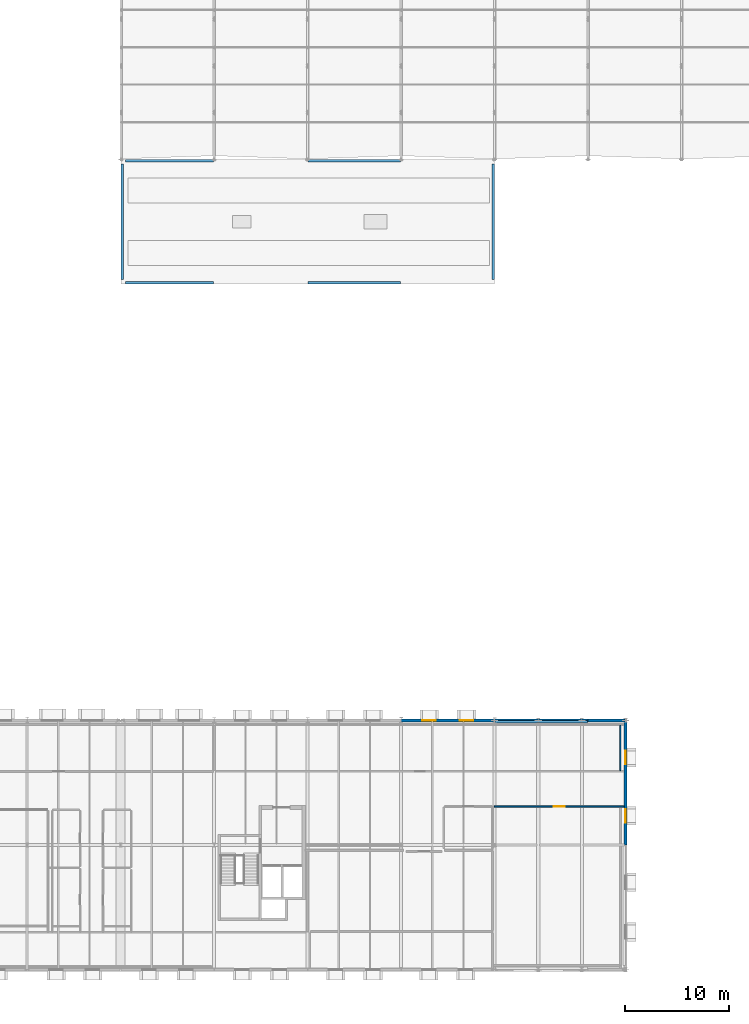
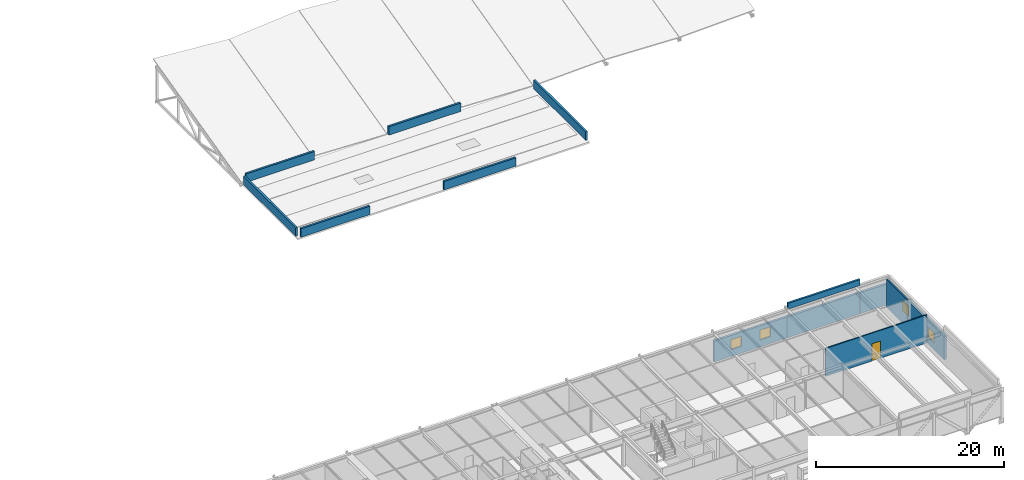
# One storey, part 33 of 36: 13 walls, 4 windows, 1 door, 5 openings.
"""IFC4 building model written with IfcOpenShell, lengths in metres."""

from ifc_helpers import new_model, si_unit, direction, frame, frame_2d, origin, place, context, subcontext, project, spatial, rectangle, extrude, material, layer, layer_set, type_object, element, fill, save


model = new_model("IFC4")

# Units and contexts
model_context = context("Model", 3, precision=1e-05, world=origin(), true_north=direction((0.0, 1.0)))
body_context = subcontext(model_context, "Body", "Model", "MODEL_VIEW")
ifc_project = project(units=[si_unit("LENGTHUNIT", "METRE"), si_unit("AREAUNIT", "SQUARE_METRE"), si_unit("VOLUMEUNIT", "CUBIC_METRE"), si_unit("PLANEANGLEUNIT", "RADIAN"), si_unit("MASSUNIT", "GRAM", prefix="KILO")], contexts=[model_context])

# Site, building, storey
site_placement = place(None, origin())
site = spatial("IfcSite", under=ifc_project, at=site_placement, CompositionType="ELEMENT")
building_placement = place(site_placement, origin())
building = spatial("IfcBuilding", under=site, at=building_placement, Name="Montelvaro Courts of Justice", CompositionType="ELEMENT")
storey_placement = place(building_placement, frame((0.0, 0.0, 23.39990234375)))
storey = spatial("IfcBuildingStorey", under=building, at=storey_placement, Name="L05", CompositionType="ELEMENT", Elevation=23.39990234375)

# Wall, opening, door
ifc_material_1 = material(Name="Gypsum board on metal stud")
ifc_layer_1 = layer(ifc_material_1, 0.14990234375)
ifc_layer_set_1 = layer_set([ifc_layer_1], Name="Gypsum board on metal stud")
wall_type_1 = type_object("IfcWallType", Name="ChambersPartition_150", PredefinedType="PARTITIONING", material=ifc_layer_set_1)
wall_1_placement = place(storey_placement, frame((134.97998046875, 15.699951171875, 0.0), z_axis=(0.0, 0.0, 1.0), x_axis=(1.0, 0.0, 0.0)))
wall_1 = element("IfcWall", 1, at=wall_1_placement, inside=storey, type_object=wall_type_1, Name="Interior Partition IW-04 (L05)", PredefinedType="PARTITIONING", context=body_context, shape_type="SweptSolid", body=[
    extrude(rectangle(XDim=12.485107421875, YDim=0.14990234375, at=frame_2d((6.24267578125, 0.0))), origin(), (0.0, 0.0, 1.0), 3.64013671875),
])
opening_1_placement = place(wall_1_placement, frame((5.718017578125, 0.0, 0.0)))
opening_1 = element("IfcOpeningElement", 2, at=opening_1_placement, cuts=wall_1, Name="Opening D-L05-157", PredefinedType="OPENING", context=body_context, shape_type="SweptSolid", body=[
    extrude(rectangle(XDim=1.050048828125, YDim=2.25, at=frame_2d((0.52490234375, 1.125))), frame((0.0, 0.08984375, 0.0), z_axis=(0.0, -1.0, 0.0), x_axis=(1.0, 0.0, 0.0)), (0.0, 0.0, 1.0), 0.1796875),
])
ifc_material_2 = material(Name="Acoustic oak timber veneer", Category="wood")
door_type = type_object("IfcDoorType", Name="ChamberDoor_105x225", OperationType="NOTDEFINED", PredefinedType="DOOR", material=ifc_material_2)
door_placement = place(opening_1_placement, frame((1.050048828125, 0.0, 0.0), z_axis=(0.0, 0.0, 1.0), x_axis=(-1.0, 0.0, 0.0)))
door = element("IfcDoor", 3, at=door_placement, inside=storey, type_object=door_type, Name="Interior Door D-L05-157 (East Cantilever Advocates' College Lounge L05)", OperationType="SINGLE_SWING_LEFT", OverallHeight=2.25, OverallWidth=1.050048828125, PredefinedType="DOOR", context=body_context, shape_type="SweptSolid", body=[
    extrude(rectangle(XDim=1.050048828125, YDim=2.25, at=frame_2d((0.52490234375, 1.125))), frame((0.0, 0.02490234375, 0.0), z_axis=(0.0, -1.0, 0.0), x_axis=(1.0, 0.0, 0.0)), (0.0, 0.0, 1.0), 0.050048828125),
])
fill(opening_1, door)

# Wall, openings, windows
ifc_material_3 = material(Name="White mineral precast concrete C45/55", Category="concrete")
ifc_layer_2 = layer(ifc_material_3, 0.280029296875)
ifc_layer_set_2 = layer_set([ifc_layer_2], Name="White mineral precast concrete C45/55")
wall_type_2 = type_object("IfcWallType", Name="ExtWall_GFRC_280", PredefinedType="SOLIDWALL", material=ifc_layer_set_2)
wall_2_placement = place(storey_placement, frame((147.60009765625, 11.989990234375, 0.0), z_axis=(0.0, 0.0, 1.0), x_axis=(0.0, 1.0, 0.0)))
wall_2 = element("IfcWall", 4, at=wall_2_placement, inside=storey, type_object=wall_type_2, Name="Exterior Facade Wall EW-01 (L05)", PredefinedType="SOLIDWALL", context=body_context, shape_type="SweptSolid", body=[
    extrude(rectangle(XDim=12.050048828125, YDim=0.280029296875, at=frame_2d((6.02490234375, 0.0))), origin(), (0.0, 0.0, 1.0), 3.05517578125),
])
opening_2_placement = place(wall_2_placement, frame((2.169921875, 0.0, 0.89990234375)))
opening_2 = element("IfcOpeningElement", 5, at=opening_2_placement, cuts=wall_2, Name="Opening WE-18", PredefinedType="OPENING", context=body_context, shape_type="SweptSolid", body=[
    extrude(rectangle(XDim=1.300048828125, YDim=1.300048828125, at=frame_2d((0.64990234375, 0.64990234375))), frame((0.0, 0.15478515625, 0.0), z_axis=(0.0, -1.0, 0.0), x_axis=(1.0, 0.0, 0.0)), (0.0, 0.0, 1.0), 0.309814453125),
])
opening_3_placement = place(wall_2_placement, frame((7.784912109375, 0.0, 0.89990234375)))
opening_3 = element("IfcOpeningElement", 6, at=opening_3_placement, cuts=wall_2, Name="Opening WE-18", PredefinedType="OPENING", context=body_context, shape_type="SweptSolid", body=[
    extrude(rectangle(XDim=1.300048828125, YDim=1.300048828125, at=frame_2d((0.64990234375, 0.64990234375))), frame((0.0, 0.15478515625, 0.0), z_axis=(0.0, -1.0, 0.0), x_axis=(1.0, 0.0, 0.0)), (0.0, 0.0, 1.0), 0.309814453125),
])
ifc_material_4 = material(Name="Low-E solar control double glazing", Category="glass")
window_type = type_object("IfcWindowType", Name="Win_Sq_130x130", PartitioningType="SINGLE_PANEL", PredefinedType="WINDOW", material=ifc_material_4)
window_1_placement = place(opening_2_placement, origin())
window_1 = element("IfcWindow", 7, at=window_1_placement, inside=storey, type_object=window_type, Name="Window W-L05-274", OverallHeight=1.300048828125, OverallWidth=1.300048828125, PartitioningType="SINGLE_PANEL", PredefinedType="WINDOW", context=body_context, shape_type="SweptSolid", body=[
    extrude(rectangle(XDim=1.300048828125, YDim=1.300048828125, at=frame_2d((0.64990234375, 0.64990234375))), frame((0.0, 0.030029296875, 0.0), z_axis=(0.0, -1.0, 0.0), x_axis=(1.0, 0.0, 0.0)), (0.0, 0.0, 1.0), 0.06005859375),
])
fill(opening_2, window_1)
window_2_placement = place(opening_3_placement, origin())
window_2 = element("IfcWindow", 8, at=window_2_placement, inside=storey, type_object=window_type, Name="Window W-L05-275", OverallHeight=1.300048828125, OverallWidth=1.300048828125, PartitioningType="SINGLE_PANEL", PredefinedType="WINDOW", context=body_context, shape_type="SweptSolid", body=[
    extrude(rectangle(XDim=1.300048828125, YDim=1.300048828125, at=frame_2d((0.64990234375, 0.64990234375))), frame((0.0, 0.030029296875, 0.0), z_axis=(0.0, -1.0, 0.0), x_axis=(1.0, 0.0, 0.0)), (0.0, 0.0, 1.0), 0.06005859375),
])
fill(opening_3, window_2)

# Walls
wall_3_placement = place(storey_placement, frame((147.56005859375, 24.0, 0.0), z_axis=(0.0, 0.0, 1.0), x_axis=(-1.0, 0.0, 0.0)))
element("IfcWall", 9, at=wall_3_placement, inside=storey, type_object=wall_type_2, Name="Exterior Facade Wall EW-01 (L05)", PredefinedType="SOLIDWALL", context=body_context, shape_type="SweptSolid", body=[
    extrude(rectangle(XDim=3.570068359375, YDim=0.280029296875, at=frame_2d((1.78515625, 0.0))), origin(), (0.0, 0.0, 1.0), 2.7470703125),
])
wall_4_placement = place(storey_placement, frame((144.010009765625, 24.0, 0.0), z_axis=(0.0, 0.0, 1.0), x_axis=(-1.0, 0.0, 0.0)))
element("IfcWall", 10, at=wall_4_placement, inside=storey, type_object=wall_type_2, Name="Exterior Facade Wall EW-01 (L05)", PredefinedType="SOLIDWALL", context=body_context, shape_type="SweptSolid", body=[
    extrude(rectangle(XDim=9.001953125, YDim=0.280029296875, at=frame_2d((4.5009765625, 0.0))), origin(), (0.0, 0.0, 1.0), 2.7470703125),
])

# Wall, openings, windows
wall_5_placement = place(storey_placement, frame((134.991943359375, 24.0, 0.0), z_axis=(0.0, 0.0, 1.0), x_axis=(-1.0, 0.0, 0.0)))
wall_5 = element("IfcWall", 11, at=wall_5_placement, inside=storey, type_object=wall_type_2, Name="Exterior Facade Wall EW-01 (L05)", PredefinedType="SOLIDWALL", context=body_context, shape_type="SweptSolid", body=[
    extrude(rectangle(XDim=8.98388671875, YDim=0.280029296875, at=frame_2d((4.491943359375, 0.0))), origin(), (0.0, 0.0, 1.0), 2.7470703125),
])
opening_4_placement = place(wall_5_placement, frame((2.044921875, 0.0, 0.89990234375)))
opening_4 = element("IfcOpeningElement", 12, at=opening_4_placement, cuts=wall_5, Name="Opening WE-18", PredefinedType="OPENING", context=body_context, shape_type="SweptSolid", body=[
    extrude(rectangle(XDim=1.300048828125, YDim=1.300048828125, at=frame_2d((0.64990234375, 0.64990234375))), frame((0.0, 0.15478515625, 0.0), z_axis=(0.0, -1.0, 0.0), x_axis=(1.0, 0.0, 0.0)), (0.0, 0.0, 1.0), 0.309814453125),
])
opening_5_placement = place(wall_5_placement, frame((5.638916015625, 0.0, 0.89990234375)))
opening_5 = element("IfcOpeningElement", 13, at=opening_5_placement, cuts=wall_5, Name="Opening WE-18", PredefinedType="OPENING", context=body_context, shape_type="SweptSolid", body=[
    extrude(rectangle(XDim=1.300048828125, YDim=1.300048828125, at=frame_2d((0.64990234375, 0.64990234375))), frame((0.0, 0.15478515625, 0.0), z_axis=(0.0, -1.0, 0.0), x_axis=(1.0, 0.0, 0.0)), (0.0, 0.0, 1.0), 0.309814453125),
])
window_3_placement = place(opening_4_placement, origin())
window_3 = element("IfcWindow", 14, at=window_3_placement, inside=storey, type_object=window_type, Name="Window W-L05-276", OverallHeight=1.300048828125, OverallWidth=1.300048828125, PartitioningType="SINGLE_PANEL", PredefinedType="WINDOW", context=body_context, shape_type="SweptSolid", body=[
    extrude(rectangle(XDim=1.300048828125, YDim=1.300048828125, at=frame_2d((0.64990234375, 0.64990234375))), frame((0.0, 0.030029296875, 0.0), z_axis=(0.0, -1.0, 0.0), x_axis=(1.0, 0.0, 0.0)), (0.0, 0.0, 1.0), 0.06005859375),
])
fill(opening_4, window_3)
window_4_placement = place(opening_5_placement, origin())
window_4 = element("IfcWindow", 15, at=window_4_placement, inside=storey, type_object=window_type, Name="Window W-L05-277", OverallHeight=1.300048828125, OverallWidth=1.300048828125, PartitioningType="SINGLE_PANEL", PredefinedType="WINDOW", context=body_context, shape_type="SweptSolid", body=[
    extrude(rectangle(XDim=1.300048828125, YDim=1.300048828125, at=frame_2d((0.64990234375, 0.64990234375))), frame((0.0, 0.030029296875, 0.0), z_axis=(0.0, -1.0, 0.0), x_axis=(1.0, 0.0, 0.0)), (0.0, 0.0, 1.0), 0.06005859375),
])
fill(opening_5, window_4)

# Walls
ifc_layer_3 = layer(ifc_material_1, 0.1201171875)
ifc_layer_set_3 = layer_set([ifc_layer_3], Name="Gypsum board on metal stud")
wall_type_3 = type_object("IfcWallType", Name="OfficePartition_120", PredefinedType="PARTITIONING", material=ifc_layer_set_3)
wall_6_placement = place(storey_placement, frame((147.10009765625, 23.544921875, 0.0), z_axis=(0.0, 0.0, 1.0), x_axis=(0.0, -1.0, 0.0)))
element("IfcWall", 16, at=wall_6_placement, inside=storey, type_object=wall_type_3, Name="Interior Partition IW-05 (L05)", PredefinedType="PARTITIONING", context=body_context, shape_type="SweptSolid", body=[
    extrude(rectangle(XDim=4.389892578125, YDim=0.1201171875, at=frame_2d((2.19482421875, 0.0))), origin(), (0.0, 0.0, 1.0), 3.64013671875),
])
ifc_layer_4 = layer(ifc_material_3, 0.239990234375)
ifc_layer_set_4 = layer_set([ifc_layer_4], Name="White mineral precast concrete C45/55")
wall_type_4 = type_object("IfcWallType", Name="ParapetWall_240", PredefinedType="PARAPET", material=ifc_layer_set_4)
wall_7_placement = place(storey_placement, frame((135.06005859375, 23.8798828125, 3.780029296875), z_axis=(0.0, 0.0, 1.0), x_axis=(1.0, 0.0, 0.0)))
element("IfcWall", 17, at=wall_7_placement, inside=storey, type_object=wall_type_4, Name="Roof Parapet PW-01 L05-016", PredefinedType="PARAPET", context=body_context, shape_type="SweptSolid", body=[
    extrude(rectangle(XDim=8.8798828125, YDim=0.239990234375, at=frame_2d((4.43994140625, 0.0))), origin(), (0.0, 0.0, 1.0), 0.77001953125),
])
wall_8_placement = place(storey_placement, frame((99.169921875, 66.419921875, 0.0), z_axis=(0.0, 0.0, 1.0), x_axis=(0.0, 1.0, 0.0)))
element("IfcWall", 18, at=wall_8_placement, inside=storey, type_object=wall_type_4, Name="Roof Parapet PW-01 L05-042", PredefinedType="PARAPET", context=body_context, shape_type="SweptSolid", body=[
    extrude(rectangle(XDim=11.16015625, YDim=0.239990234375, at=frame_2d((5.580078125, 0.0))), origin(), (0.0, 0.0, 1.0), 1.10009765625),
])
wall_9_placement = place(storey_placement, frame((99.469970703125, 66.1201171875, 0.0), z_axis=(0.0, 0.0, 1.0), x_axis=(1.0, 0.0, 0.0)))
element("IfcWall", 19, at=wall_9_placement, inside=storey, type_object=wall_type_4, Name="Roof Parapet PW-01 L05-043", PredefinedType="PARAPET", context=body_context, shape_type="SweptSolid", body=[
    extrude(rectangle(XDim=8.469970703125, YDim=0.239990234375, at=frame_2d((4.23486328125, 0.0))), origin(), (0.0, 0.0, 1.0), 1.10009765625),
])
wall_10_placement = place(storey_placement, frame((117.06005859375, 66.1201171875, 0.0), z_axis=(0.0, 0.0, 1.0), x_axis=(1.0, 0.0, 0.0)))
element("IfcWall", 20, at=wall_10_placement, inside=storey, type_object=wall_type_4, Name="Roof Parapet PW-01 L05-044", PredefinedType="PARAPET", context=body_context, shape_type="SweptSolid", body=[
    extrude(rectangle(XDim=8.8798828125, YDim=0.239990234375, at=frame_2d((4.43994140625, 0.0))), origin(), (0.0, 0.0, 1.0), 1.10009765625),
])
wall_11_placement = place(storey_placement, frame((134.8798828125, 66.419921875, 0.0), z_axis=(0.0, 0.0, 1.0), x_axis=(0.0, 1.0, 0.0)))
element("IfcWall", 21, at=wall_11_placement, inside=storey, type_object=wall_type_4, Name="Roof Parapet PW-01 L05-045", PredefinedType="PARAPET", context=body_context, shape_type="SweptSolid", body=[
    extrude(rectangle(XDim=11.16015625, YDim=0.239990234375, at=frame_2d((5.580078125, 0.0))), origin(), (0.0, 0.0, 1.0), 1.10009765625),
])
wall_12_placement = place(storey_placement, frame((99.469970703125, 77.8798828125, 0.0), z_axis=(0.0, 0.0, 1.0), x_axis=(1.0, 0.0, 0.0)))
element("IfcWall", 22, at=wall_12_placement, inside=storey, type_object=wall_type_4, Name="Roof Parapet PW-01 L05-046", PredefinedType="PARAPET", context=body_context, shape_type="SweptSolid", body=[
    extrude(rectangle(XDim=8.469970703125, YDim=0.239990234375, at=frame_2d((4.23486328125, 0.0))), origin(), (0.0, 0.0, 1.0), 1.10009765625),
])
wall_13_placement = place(storey_placement, frame((117.06005859375, 77.8798828125, 0.0), z_axis=(0.0, 0.0, 1.0), x_axis=(1.0, 0.0, 0.0)))
element("IfcWall", 23, at=wall_13_placement, inside=storey, type_object=wall_type_4, Name="Roof Parapet PW-01 L05-047", PredefinedType="PARAPET", context=body_context, shape_type="SweptSolid", body=[
    extrude(rectangle(XDim=8.8798828125, YDim=0.239990234375, at=frame_2d((4.43994140625, 0.0))), origin(), (0.0, 0.0, 1.0), 1.10009765625),
])

save(model, "model.ifc")
